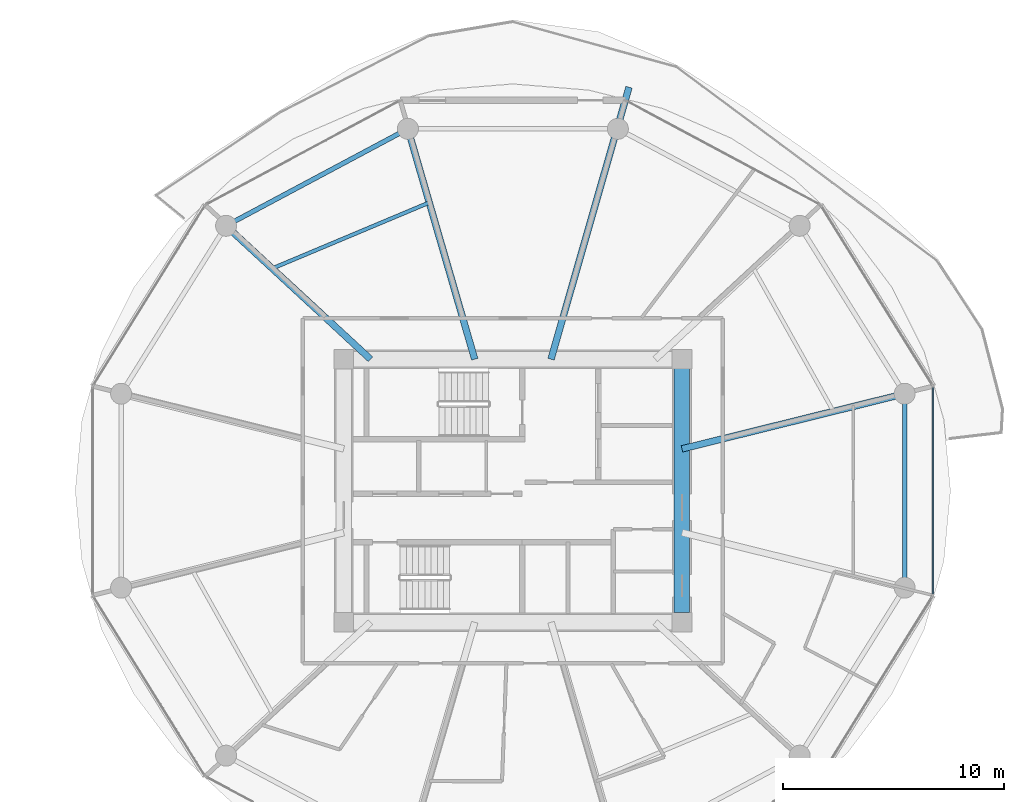
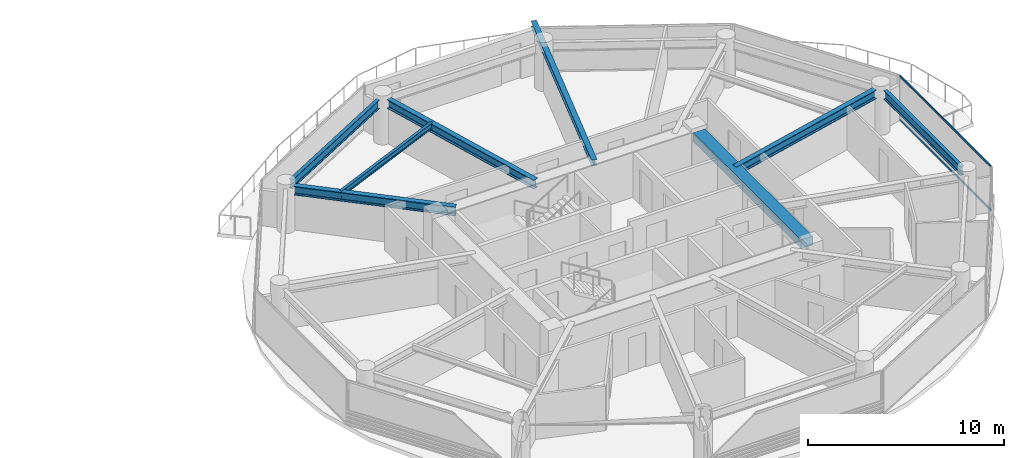
# One storey, part 12 of 26: 8 beams, 2 members, 1 element without a shape of its own.
"""IFC4 building model written with IfcOpenShell, lengths in metres."""

from ifc_helpers import new_model, si_unit, direction, frame, origin, origin_2d, place, context, subcontext, project, spatial, rectangle, i_section, extrude, source, transform, mapped, material, layer, layer_set, material_profile, profile_set, type_object, type_shapes, element, aggregate, save


model = new_model("IFC4")

# Units and contexts
model_context = context("Model", 3, precision=1e-05, world=origin(), true_north=direction((0.0, 1.0)))
body_context = subcontext(model_context, "Body", "Model", "MODEL_VIEW")
ifc_project = project(units=[si_unit("LENGTHUNIT", "METRE"), si_unit("AREAUNIT", "SQUARE_METRE"), si_unit("VOLUMEUNIT", "CUBIC_METRE"), si_unit("PLANEANGLEUNIT", "RADIAN"), si_unit("MASSUNIT", "GRAM", prefix="KILO")], contexts=[model_context])

# Site, building, storey
site_placement = place(None, origin())
site = spatial("IfcSite", under=ifc_project, at=site_placement, CompositionType="ELEMENT")
building_placement = place(site_placement, origin())
building = spatial("IfcBuilding", under=site, at=building_placement, Name="Norrkilde Senior Care Towers", CompositionType="ELEMENT")
storey_placement = place(building_placement, frame((0.0, 0.0, 55.14990234375)))
storey = spatial("IfcBuildingStorey", under=building, at=storey_placement, Name="L16", CompositionType="ELEMENT", Elevation=55.14990234375)

# Beams
ifc_material_1 = material(Name="Concrete C60/75", Category="concrete")
ifc_material_profile_1 = material_profile(ifc_material_1, rectangle(XDim=0.699951171875, YDim=0.550048828125, at=origin_2d()), Name="RC BM 700x550")
ifc_profile_set_1 = profile_set([ifc_material_profile_1], Name="Concrete C60/75")
beam_type_1 = type_object("IfcBeamType", Name="Core Portal Coupling Beam 700x550", PredefinedType="USERDEFINED", material=ifc_profile_set_1)
shared_shape_1 = source(origin(), body_context, "Body", "SweptSolid", [
    extrude(rectangle(XDim=0.699951171875, YDim=0.550048828125, at=origin_2d()), origin(), (0.0, 0.0, 1.0), 11.0400390625),
])
type_shapes(beam_type_1, [shared_shape_1])
beam_1_placement = place(storey_placement, frame((35.64990234375, -5.52001953125, 2.51513671875), z_axis=(0.0, 1.0, 0.0), x_axis=(-1.0, 0.0, 0.0)))
element("IfcBeam", 1, at=beam_1_placement, inside=storey, type_object=beam_type_1, Name="L16 Core E E Coupling Girder", ObjectType="GIRDER", PredefinedType="USERDEFINED", context=body_context, shape_type="MappedRepresentation", body=[
    mapped(shared_shape_1, transform((0.0, 0.0, 0.0), x_axis=(1.0, 0.0, 0.0), y_axis=(0.0, 1.0, 0.0), z_axis=(0.0, 0.0, 1.0), scale=1.0)),
])
ifc_material_2 = material(Name="Steel S355", Category="steel")
ifc_material_profile_2 = material_profile(ifc_material_2, i_section(OverallWidth=0.300048828125, OverallDepth=0.550048828125, WebThickness=0.014892578125, FlangeThickness=0.029052734375, FilletRadius=0.027099609375, at=origin_2d()), Name="HEB 550")
ifc_profile_set_2 = profile_set([ifc_material_profile_2], Name="Steel S355")
beam_type_2 = type_object("IfcBeamType", Name="Radial Floor Beam Z1 HEB550", PredefinedType="BEAM", material=ifc_profile_set_2)
shared_shape_2 = source(origin(), body_context, "Body", "SweptSolid", [
    extrude(i_section(OverallWidth=0.300048828125, OverallDepth=0.550048828125, WebThickness=0.014892578125, FlangeThickness=0.029052734375, FilletRadius=0.027099609375, at=origin_2d()), origin(), (0.0, 0.0, 1.0), 9.94384765625),
])
beam_2_placement = place(storey_placement, frame((35.64990234375, 1.893310546875, 2.51513671875), z_axis=(0.970707425182, 0.240264634718, 0.0), x_axis=(-0.240264634718, 0.970707425182, 0.0)))
element("IfcBeam", 2, at=beam_2_placement, inside=storey, type_object=beam_type_2, Name="L16 Drum E Radial Floor Beam 01", PredefinedType="BEAM", context=body_context, shape_type="MappedRepresentation", body=[
    mapped(shared_shape_2, transform((0.0, 0.0, 0.0), x_axis=(1.0, 0.0, 0.0), y_axis=(0.0, 1.0, 0.0), z_axis=(0.0, 0.0, 1.0), scale=1.0)),
])
ifc_material_profile_3 = material_profile(ifc_material_2, i_section(OverallWidth=0.2099609375, OverallDepth=0.550048828125, WebThickness=0.010986328125, FlangeThickness=0.01708984375, FilletRadius=0.02392578125, at=origin_2d()), Name="IPE 550")
ifc_profile_set_3 = profile_set([ifc_material_profile_3], Name="Steel S355")
beam_type_3 = type_object("IfcBeamType", Name="Perimeter Ring Spandrel Z1 IPE550", PredefinedType="SPANDREL", material=ifc_profile_set_3)
shared_shape_3 = source(origin(), body_context, "Body", "SweptSolid", [
    extrude(i_section(OverallWidth=0.2099609375, OverallDepth=0.550048828125, WebThickness=0.010986328125, FlangeThickness=0.01708984375, FilletRadius=0.02392578125, at=origin_2d()), origin(), (0.0, 0.0, 1.0), 8.452880859375),
])
beam_3_placement = place(storey_placement, frame((22.866943359375, 16.167724609375, 2.51513671875), z_axis=(-0.882368931134, -0.470558252898, 0.0), x_axis=(0.470558252898, -0.882368931134, 0.0)))
element("IfcBeam", 3, at=beam_3_placement, inside=storey, type_object=beam_type_3, Name="L16 Drum E Perimeter Spandrel 04", PredefinedType="SPANDREL", context=body_context, shape_type="MappedRepresentation", body=[
    mapped(shared_shape_3, transform((0.0, 0.0, 0.0), x_axis=(1.0, 0.0, 0.0), y_axis=(0.0, 1.0, 0.0), z_axis=(0.0, 0.0, 1.0), scale=1.0)),
])
shared_shape_4 = source(origin(), body_context, "Body", "SweptSolid", [
    extrude(i_section(OverallWidth=0.300048828125, OverallDepth=0.550048828125, WebThickness=0.014892578125, FlangeThickness=0.029052734375, FilletRadius=0.027099609375, at=origin_2d()), origin(), (0.0, 0.0, 1.0), 8.459716796875),
])
beam_4_placement = place(storey_placement, frame((21.55859375, 5.949951171875, 2.51513671875), z_axis=(-0.734573269108, 0.678529374686, 0.0), x_axis=(-0.678529374686, -0.734573269108, 0.0)))
element("IfcBeam", 4, at=beam_4_placement, inside=storey, type_object=beam_type_2, Name="L16 Drum E Radial Floor Beam 05", PredefinedType="BEAM", context=body_context, shape_type="MappedRepresentation", body=[
    mapped(shared_shape_4, transform((0.0, 0.0, 0.0), x_axis=(1.0, 0.0, 0.0), y_axis=(0.0, 1.0, 0.0), z_axis=(0.0, 0.0, 1.0), scale=1.0)),
])
shared_shape_5 = source(origin(), body_context, "Body", "SweptSolid", [
    extrude(i_section(OverallWidth=0.300048828125, OverallDepth=0.550048828125, WebThickness=0.014892578125, FlangeThickness=0.029052734375, FilletRadius=0.027099609375, at=origin_2d()), origin(), (0.0, 0.0, 1.0), 10.4169921875),
])
type_shapes(beam_type_2, [shared_shape_2, shared_shape_4, shared_shape_5])
beam_5_placement = place(storey_placement, frame((26.27392578125, 5.949951171875, 2.51513671875), z_axis=(-0.278591250785, 0.960409764104, 0.0), x_axis=(-0.960409764104, -0.278591250785, 0.0)))
element("IfcBeam", 5, at=beam_5_placement, inside=storey, type_object=beam_type_2, Name="L16 Drum E Radial Floor Beam 04", PredefinedType="BEAM", context=body_context, shape_type="MappedRepresentation", body=[
    mapped(shared_shape_5, transform((0.0, 0.0, 0.0), x_axis=(1.0, 0.0, 0.0), y_axis=(0.0, 1.0, 0.0), z_axis=(0.0, 0.0, 1.0), scale=1.0)),
])
shared_shape_6 = source(origin(), body_context, "Body", "SweptSolid", [
    extrude(i_section(OverallWidth=0.2099609375, OverallDepth=0.550048828125, WebThickness=0.010986328125, FlangeThickness=0.01708984375, FilletRadius=0.02392578125, at=origin_2d()), origin(), (0.0, 0.0, 1.0), 7.90380859375),
])
type_shapes(beam_type_3, [shared_shape_3, shared_shape_6])
beam_6_placement = place(storey_placement, frame((45.724853515625, -3.951904296875, 2.51513671875), z_axis=(0.0, 1.0, 0.0), x_axis=(-1.0, 0.0, 0.0)))
element("IfcBeam", 6, at=beam_6_placement, inside=storey, type_object=beam_type_3, Name="L16 Drum E Perimeter Spandrel 12", PredefinedType="SPANDREL", context=body_context, shape_type="MappedRepresentation", body=[
    mapped(shared_shape_6, transform((0.0, 0.0, 0.0), x_axis=(1.0, 0.0, 0.0), y_axis=(0.0, 1.0, 0.0), z_axis=(0.0, 0.0, 1.0), scale=1.0)),
])
ifc_material_profile_4 = material_profile(ifc_material_2, i_section(OverallWidth=0.169921875, OverallDepth=0.360107421875, WebThickness=0.008056640625, FlangeThickness=0.0126953125, FilletRadius=0.01806640625, at=origin_2d()), Name="IPE 360")
ifc_profile_set_4 = profile_set([ifc_material_profile_4], Name="Steel S355")
beam_type_4 = type_object("IfcBeamType", Name="Secondary Floor Joist IPE360", PredefinedType="JOIST", material=ifc_profile_set_4)
shared_shape_7 = source(origin(), body_context, "Body", "SweptSolid", [
    extrude(i_section(OverallWidth=0.169921875, OverallDepth=0.360107421875, WebThickness=0.008056640625, FlangeThickness=0.0126953125, FilletRadius=0.01806640625, at=origin_2d()), origin(), (0.0, 0.0, 1.0), 7.703857421875),
])
type_shapes(beam_type_4, [shared_shape_7])
beam_7_placement = place(storey_placement, frame((24.21826171875, 13.037353515625, 2.610107421875), z_axis=(-0.921982784465, -0.387230868023, 0.0), x_axis=(0.387230868023, -0.921982784465, 0.0)))
element("IfcBeam", 7, at=beam_7_placement, inside=storey, type_object=beam_type_4, Name="L16 Drum E Secondary Floor Joist 2", PredefinedType="JOIST", context=body_context, shape_type="MappedRepresentation", body=[
    mapped(shared_shape_7, transform((0.0, 0.0, 0.0), x_axis=(1.0, 0.0, 0.0), y_axis=(0.0, 1.0, 0.0), z_axis=(0.0, 0.0, 1.0), scale=1.0)),
])
ifc_material_profile_5 = material_profile(ifc_material_2, i_section(OverallWidth=0.300048828125, OverallDepth=0.360107421875, WebThickness=0.012451171875, FlangeThickness=0.0224609375, FilletRadius=0.027099609375, at=origin_2d()), Name="HEB 360")
ifc_profile_set_5 = profile_set([ifc_material_profile_5], Name="Steel S355")
beam_type_5 = type_object("IfcBeamType", Name="Balcony Crest Cantilever Rib HEB360", PredefinedType="BEAM", material=ifc_profile_set_5)
shared_shape_8 = source(origin(), body_context, "Body", "SweptSolid", [
    extrude(i_section(OverallWidth=0.300048828125, OverallDepth=0.360107421875, WebThickness=0.012451171875, FlangeThickness=0.0224609375, FilletRadius=0.027099609375, at=origin_2d()), origin(), (0.0, 0.0, 1.0), 12.8017578125),
])
type_shapes(beam_type_5, [shared_shape_8])
beam_8_placement = place(storey_placement, frame((29.72607421875, 5.949951171875, 2.610107421875), z_axis=(0.275572367371, 0.961280328698, 0.0), x_axis=(-0.961280328698, 0.275572367371, 0.0)))
element("IfcBeam", 8, at=beam_8_placement, inside=storey, type_object=beam_type_5, Name="L16 Drum E Balcony Cantilever Rib", PredefinedType="BEAM", context=body_context, shape_type="MappedRepresentation", body=[
    mapped(shared_shape_8, transform((0.0, 0.0, 0.0), x_axis=(1.0, 0.0, 0.0), y_axis=(0.0, 1.0, 0.0), z_axis=(0.0, 0.0, 1.0), scale=1.0)),
])

# Curtain wall, members
ifc_material_3 = material(Name="Triple Low-E Insulated Glazing", Category="glass")
ifc_layer = layer(ifc_material_3, 0.199951171875)
ifc_layer_set = layer_set([ifc_layer], Name="Triple Low-E Insulated Glazing")
curtain_wall_type = type_object("IfcCurtainWallType", Name="CW2 Zone 1 Memory Care Curtain Wall", PredefinedType="NOTDEFINED", material=ifc_layer_set)
curtain_wall_placement = place(storey_placement, origin())
curtain_wall = element("IfcCurtainWall", 9, at=curtain_wall_placement, inside=storey, type_object=curtain_wall_type, Name="L16 Drum E Curtain Wall 11", PredefinedType="NOTDEFINED")
ifc_material_4 = material(Name="Anodised Aluminium", Category="aluminium")
ifc_material_profile_6 = material_profile(ifc_material_4, rectangle(XDim=0.06005859375, YDim=0.1201171875, at=origin_2d()), Name="ALU TRAN 60x120")
ifc_profile_set_6 = profile_set([ifc_material_profile_6], Name="Anodised Aluminium")
member_type = type_object("IfcMemberType", Name="Curtain Wall Transom Typical 60x120", PredefinedType="USERDEFINED", material=ifc_profile_set_6)
shared_shape_9 = source(origin(), body_context, "Body", "SweptSolid", [
    extrude(rectangle(XDim=0.06005859375, YDim=0.1201171875, at=origin_2d()), origin(), (0.0, 0.0, 1.0), 9.33251953125),
])
type_shapes(member_type, [shared_shape_9])
member_1_placement = place(storey_placement, frame((47.009521484375, 4.666259765625, 0.030029296875), z_axis=(0.0, -1.0, 0.0), x_axis=(1.0, 0.0, 0.0)))
member_1 = element("IfcMember", 10, at=member_1_placement, type_object=member_type, Name="CW-2 transom 1.1", ObjectType="TRANSOM", PredefinedType="USERDEFINED", context=body_context, shape_type="MappedRepresentation", body=[
    mapped(shared_shape_9, transform((0.0, 0.0, 0.0), x_axis=(1.0, 0.0, 0.0), y_axis=(0.0, 1.0, 0.0), z_axis=(0.0, 0.0, 1.0), scale=1.0)),
])
member_2_placement = place(storey_placement, frame((47.009521484375, 4.666259765625, 2.760009765625), z_axis=(0.0, -1.0, 0.0), x_axis=(1.0, 0.0, 0.0)))
member_2 = element("IfcMember", 11, at=member_2_placement, type_object=member_type, Name="CW-2 transom 1.2", ObjectType="TRANSOM", PredefinedType="USERDEFINED", context=body_context, shape_type="MappedRepresentation", body=[
    mapped(shared_shape_9, transform((0.0, 0.0, 0.0), x_axis=(1.0, 0.0, 0.0), y_axis=(0.0, 1.0, 0.0), z_axis=(0.0, 0.0, 1.0), scale=1.0)),
])
aggregate(curtain_wall, [member_1, member_2])

save(model, "model.ifc")
